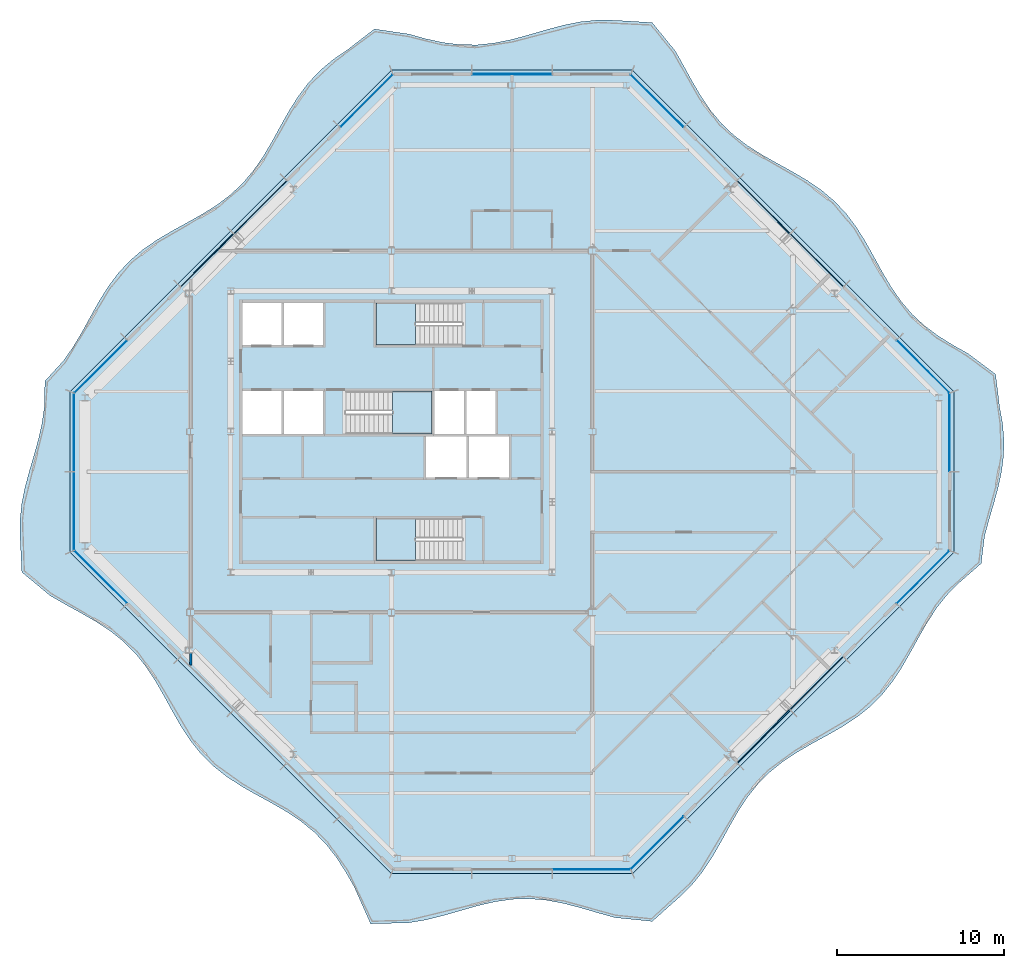
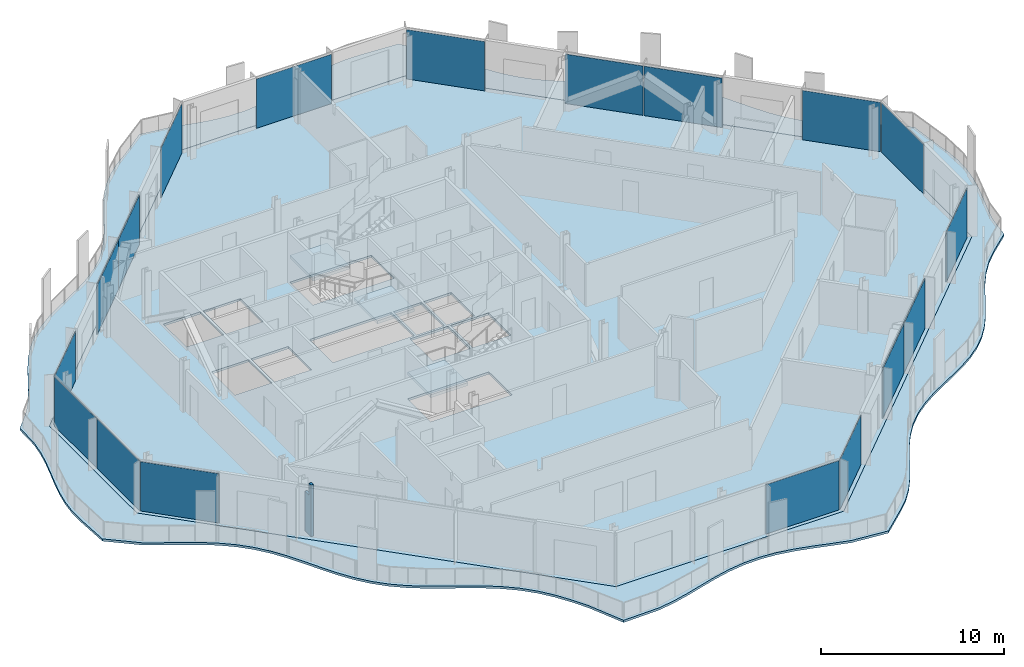
# One storey, part 6 of 16: 18 plates, 5 slabs, 1 wall, 11 elements without a shape of their own.
"""IFC4 building model written with IfcOpenShell, lengths in metres."""

from ifc_helpers import new_model, si_unit, direction, frame, origin, origin_2d, place, context, subcontext, project, spatial, polyline, rectangle, outline, extrude, material, layer, layer_set, type_object, element, aggregate, save


model = new_model("IFC4")

# Units and contexts
model_context = context("Model", 3, precision=1e-05, world=origin(), true_north=direction((0.0, 1.0)))
body_context = subcontext(model_context, "Body", "Model", "MODEL_VIEW")
ifc_project = project(units=[si_unit("LENGTHUNIT", "METRE"), si_unit("AREAUNIT", "SQUARE_METRE"), si_unit("VOLUMEUNIT", "CUBIC_METRE"), si_unit("PLANEANGLEUNIT", "RADIAN"), si_unit("MASSUNIT", "GRAM", prefix="KILO")], contexts=[model_context])

# Site, building, storey
site_placement = place(None, origin())
site = spatial("IfcSite", under=ifc_project, at=site_placement, CompositionType="ELEMENT")
building_placement = place(site_placement, origin())
building = spatial("IfcBuilding", under=site, at=building_placement, Name="Cairn Pilgrim Tower", CompositionType="ELEMENT")
storey_placement = place(building_placement, frame((0.0, 0.0, 288.60009765625)))
storey = spatial("IfcBuildingStorey", under=building, at=storey_placement, Name="L74", CompositionType="ELEMENT", Elevation=288.60009765625)

# Slabs
ifc_material_1 = material(Name="Concrete C35/45", Category="concrete")
ifc_layer_1 = layer(ifc_material_1, 0.14990234375)
ifc_layer_set_1 = layer_set([ifc_layer_1], Name="BALCONY SLAB 150 CONCRETE C35/45")
slab_type_1 = type_object("IfcSlabType", Name="BALCONY SLAB 150 CONCRETE C35/45", PredefinedType="FLOOR", material=ifc_layer_set_1)
slab_1_placement = place(storey_placement, frame((0.0, 0.0, -0.150146484375)))
element("IfcSlab", 1, at=slab_1_placement, inside=storey, type_object=slab_type_1, Name="Balcony slab BS-1", PredefinedType="FLOOR", context=body_context, shape_type="SweptSolid", body=[
    extrude(outline(polyline([(4.979736328125, -24.798095703125), (5.957275390625, -27.0), (8.228515625, -26.939697265625), (9.257080078125, -26.768310546875), (10.28564453125, -26.513427734375), (11.314208984375, -26.21630859375), (12.3427734375, -25.924560546875), (13.371337890625, -25.685302734375), (14.39990234375, -25.53662109375), (15.428466796875, -25.5029296875), (16.45703125, -25.589599609375), (17.485595703125, -25.782470703125), (18.514404296875, -26.050537109375), (19.54296875, -26.3505859375), (20.571533203125, -26.634765625), (22.783203125, -26.856689453125), (24.41796875, -25.395751953125), (25.13671875, -24.692138671875), (25.774658203125, -23.907958984375), (26.34326171875, -23.054443359375), (26.864501953125, -22.153564453125), (27.36767578125, -21.234375), (27.884765625, -20.3291015625), (28.4453125, -19.467529296875), (29.072998046875, -18.6728515625), (29.7802734375, -17.9580078125), (30.56787109375, -17.323486328125), (31.424072265625, -16.757568359375), (32.32666015625, -16.23779296875), (33.245849609375, -15.734619140625), (34.149658203125, -15.21630859375), (35.008544921875, -14.653076171875), (35.7998046875, -14.02197265625), (36.510986328125, -13.31103515625), (37.14208984375, -12.52001953125), (37.70556640625, -11.6611328125), (38.223876953125, -10.75732421875), (38.72705078125, -9.838134765625), (39.24658203125, -8.935546875), (39.8125, -8.079345703125), (40.447021484375, -7.29150390625), (41.161865234375, -6.583984375), (42.435302734375, -5.477294921875), (42.636474609375, -3.840087890625), (42.895751953125, -2.8798828125), (43.177001953125, -1.919921875), (43.440185546875, -0.9599609375), (43.6484375, 0.0), (43.77294921875, 0.9599609375), (43.795654296875, 1.919921875), (43.7138671875, 2.8798828125), (43.53857421875, 3.840087890625), (43.294921875, 5.83349609375), (41.64697265625, 7.069091796875), (40.734619140625, 7.5791015625), (39.8583984375, 8.125244140625), (39.043701171875, 8.732666015625), (38.306396484375, 9.41748046875), (37.650634765625, 10.183837890625), (37.067626953125, 11.023193359375), (36.537841796875, 11.91552734375), (36.033447265625, 12.83349609375), (35.5224609375, 13.74462890625), (34.97412109375, 14.618408203125), (34.36328125, 15.429931640625), (33.6748046875, 16.16357421875), (32.90478515625, 16.81591796875), (32.062744140625, 17.39599609375), (31.16845703125, 17.924072265625), (30.250244140625, 18.427978515625), (29.340087890625, 18.940185546875), (28.468505859375, 19.49072265625), (27.660400390625, 20.104736328125), (26.930419921875, 20.797119140625), (26.281494140625, 21.570556640625), (25.704345703125, 22.41552734375), (25.17822265625, 23.3115234375), (24.67431640625, 24.22998046875), (24.161376953125, 25.138916015625), (22.7763671875, 26.840087890625), (20.571533203125, 26.974609375), (19.54296875, 26.992431640625), (18.514404296875, 26.890869140625), (17.485595703125, 26.68603515625), (16.45703125, 26.4111328125), (15.428466796875, 26.1103515625), (14.39990234375, 25.831787109375), (13.371337890625, 25.620849609375), (12.3427734375, 25.510986328125), (11.314208984375, 25.520263671875), (10.28564453125, 25.646728515625), (9.257080078125, 25.870361328125), (8.228515625, 26.1552734375), (6.18310546875, 26.455322265625), (4.567626953125, 25.2099609375), (3.722412109375, 24.63330078125), (2.948486328125, 23.98486328125), (2.255859375, 23.25537109375), (1.641357421875, 22.447509765625), (1.090576171875, 21.576171875), (0.578369140625, 20.666259765625), (0.07421875, 19.748046875), (-0.453369140625, 18.853515625), (-1.033203125, 18.010986328125), (-1.68505859375, 17.24072265625), (-2.418212890625, 16.551513671875), (-3.2294921875, 15.9404296875), (-4.10302734375, 15.391845703125), (-5.01416015625, 14.880859375), (-5.931884765625, 14.37646484375), (-6.82470703125, 13.846923828125), (-7.664306640625, 13.26416015625), (-8.430908203125, 12.60888671875), (-9.116455078125, 11.871826171875), (-9.72412109375, 11.0576171875), (-10.2705078125, 10.181640625), (-10.78076171875, 9.26953125), (-11.28564453125, 8.352294921875), (-11.81689453125, 7.46142578125), (-12.40234375, 6.624755859375), (-13.501220703125, 5.421875), (-13.538330078125, 3.840087890625), (-13.675537109375, 2.8798828125), (-13.8935546875, 1.919921875), (-14.161376953125, 0.9599609375), (-14.44189453125, 0.0), (-14.6953125, -0.9599609375), (-14.88623046875, -1.919921875), (-14.98779296875, -2.8798828125), (-14.985595703125, -3.840087890625), (-14.88037109375, -5.9931640625), (-13.1806640625, -7.40283203125), (-12.2783203125, -7.9228515625), (-11.359130859375, -8.42578125), (-10.455078125, -8.944091796875), (-9.595947265625, -9.507080078125), (-8.804443359375, -10.1376953125), (-8.093017578125, -10.8486328125), (-7.461669921875, -11.639404296875), (-6.89794921875, -12.498046875), (-6.379638671875, -13.40185546875), (-5.87646484375, -14.321044921875), (-5.35693359375, -15.2236328125), (-4.791259765625, -16.080078125), (-4.156982421875, -16.8681640625), (-3.442626953125, -17.575927734375), (-2.6484375, -18.203857421875), (-1.787109375, -18.764892578125), (-0.882080078125, -19.281982421875), (0.037109375, -19.78515625), (0.938232421875, -20.30615234375), (1.7919921875, -20.87451171875), (2.57666015625, -21.51220703125), (3.28076171875, -22.230224609375), (3.9052734375, -23.02783203125), (4.4638671875, -23.8916015625), (4.979736328125, -24.798095703125)]), holes=[polyline([(21.60009765625, -24.0), (7.199951171875, -24.0), (-12.0, -4.800048828125), (-12.0, 4.800048828125), (7.199951171875, 24.0), (21.60009765625, 24.0), (40.800048828125, 4.800048828125), (40.800048828125, -4.800048828125), (21.60009765625, -24.0)])]), origin(), (0.0, 0.0, 1.0), 0.150146484375),
])
ifc_layer_2 = layer(ifc_material_1, 0.14990234375)
ifc_layer_set_2 = layer_set([ifc_layer_2], Name="COMPOSITE FLOOR SLAB 150")
slab_type_2 = type_object("IfcSlabType", Name="COMPOSITE FLOOR SLAB 150", PredefinedType="FLOOR", material=ifc_layer_set_2)
slab_2_placement = place(storey_placement, frame((0.0, 0.0, -0.150146484375)))
element("IfcSlab", 2, at=slab_2_placement, inside=storey, type_object=slab_type_2, Name="FLOOR SLAB L74", PredefinedType="FLOOR", context=body_context, shape_type="SweptSolid", body=[
    extrude(outline(polyline([(7.199951171875, -24.0), (21.60009765625, -24.0), (40.800048828125, -4.800048828125), (40.800048828125, 4.800048828125), (21.60009765625, 24.0), (7.199951171875, 24.0), (-12.0, 4.800048828125), (-12.0, -4.800048828125), (7.199951171875, -24.0)]), holes=[polyline([(9.27490234375, -0.324951171875), (11.675048828125, -0.324951171875), (11.675048828125, 2.125), (9.27490234375, 2.125), (9.27490234375, -0.324951171875)]), polyline([(11.824951171875, -0.324951171875), (14.22509765625, -0.324951171875), (14.22509765625, 2.125), (11.824951171875, 2.125), (11.824951171875, -0.324951171875)]), polyline([(-1.72509765625, 2.27490234375), (0.625, 2.27490234375), (0.625, 4.824951171875), (-1.72509765625, 4.824951171875), (-1.72509765625, 2.27490234375)]), polyline([(0.77490234375, 2.27490234375), (3.125, 2.27490234375), (3.125, 4.824951171875), (0.77490234375, 4.824951171875), (0.77490234375, 2.27490234375)]), polyline([(-1.72509765625, 7.574951171875), (0.625, 7.574951171875), (0.625, 10.10009765625), (-1.72509765625, 10.10009765625), (-1.72509765625, 7.574951171875)]), polyline([(0.77490234375, 7.574951171875), (3.125, 7.574951171875), (3.125, 10.10009765625), (0.77490234375, 10.10009765625), (0.77490234375, 7.574951171875)]), polyline([(9.77490234375, 2.27490234375), (11.52490234375, 2.27490234375), (11.52490234375, 4.824951171875), (9.77490234375, 4.824951171875), (9.77490234375, 2.27490234375)]), polyline([(11.675048828125, 2.27490234375), (13.425048828125, 2.27490234375), (13.425048828125, 4.824951171875), (11.675048828125, 4.824951171875), (11.675048828125, 2.27490234375)]), polyline([(11.424560546875, -2.77490234375), (6.27490234375, -2.77490234375), (6.27490234375, -5.300048828125), (11.424560546875, -5.300048828125), (11.424560546875, -2.77490234375)]), polyline([(4.4755859375, 2.27490234375), (9.625, 2.27490234375), (9.625, 4.824951171875), (4.4755859375, 4.824951171875), (4.4755859375, 2.27490234375)]), polyline([(11.424560546875, 10.10009765625), (6.27490234375, 10.10009765625), (6.27490234375, 7.574951171875), (11.424560546875, 7.574951171875), (11.424560546875, 10.10009765625)])]), origin(), (0.0, 0.0, 1.0), 0.150146484375),
])

# Curtain wall, plates
ifc_material_2 = material(Name="Aluminium alloy 6063-T6 bronze anodised with Bronze tinted laminated low-E glass 8+16+8.8", Category="aluminium")
curtain_wall_type = type_object("IfcCurtainWallType", Name="CROWN CURTAIN WALL", PredefinedType="NOTDEFINED", material=ifc_material_2)
curtain_wall_1_placement = place(storey_placement, origin())
curtain_wall_1 = element("IfcCurtainWall", 3, at=curtain_wall_1_placement, inside=storey, type_object=curtain_wall_type, Name="Crown Curtain Wall SE", PredefinedType="NOTDEFINED")
ifc_material_3 = material(Name="Bronze anodised aluminium spandrel panel with mineral wool insulation", Category="aluminium")
ifc_layer_3 = layer(ifc_material_3, 0.06005859375)
ifc_layer_set_3 = layer_set([ifc_layer_3], Name="SPANDREL PANEL 4431x3300")
plate_type_1 = type_object("IfcPlateType", Name="SPANDREL PANEL 4431x3300", PredefinedType="CURTAIN_PANEL", material=ifc_layer_set_3)
plate_1_placement = place(storey_placement, frame((29.435546875, -15.81103515625, 0.0), z_axis=(0.0, 0.0, 1.0), x_axis=(0.707106781187, 0.707106781187, 0.0)))
plate_1 = element("IfcPlate", 4, at=plate_1_placement, type_object=plate_type_1, Name="Spandrel Panel SE3-1", PredefinedType="CURTAIN_PANEL", context=body_context, shape_type="SweptSolid", body=[
    extrude(rectangle(XDim=4.430908203125, YDim=0.06005859375, at=origin_2d()), origin(), (0.0, 0.0, 1.0), 3.300048828125),
])
plate_2_placement = place(storey_placement, frame((32.611083984375, -12.635498046875, 0.0), z_axis=(0.0, 0.0, 1.0), x_axis=(0.707106781187, 0.707106781187, 0.0)))
plate_2 = element("IfcPlate", 5, at=plate_2_placement, type_object=plate_type_1, Name="Spandrel Panel SE4-1", PredefinedType="CURTAIN_PANEL", context=body_context, shape_type="SweptSolid", body=[
    extrude(rectangle(XDim=4.430908203125, YDim=0.06005859375, at=origin_2d()), origin(), (0.0, 0.0, 1.0), 3.300048828125),
])

curtain_wall_2_placement = place(storey_placement, origin())
curtain_wall_2 = element("IfcCurtainWall", 6, at=curtain_wall_2_placement, inside=storey, type_object=curtain_wall_type, Name="Crown Curtain Wall NE", PredefinedType="NOTDEFINED")
plate_3_placement = place(storey_placement, frame((32.611083984375, 12.635498046875, 0.0), z_axis=(0.0, 0.0, 1.0), x_axis=(-0.707106781187, 0.707106781187, 0.0)))
plate_3 = element("IfcPlate", 7, at=plate_3_placement, type_object=plate_type_1, Name="Spandrel Panel NE3-1", PredefinedType="CURTAIN_PANEL", context=body_context, shape_type="SweptSolid", body=[
    extrude(rectangle(XDim=4.430908203125, YDim=0.06005859375, at=origin_2d()), origin(), (0.0, 0.0, 1.0), 3.300048828125),
])
plate_4_placement = place(storey_placement, frame((29.435546875, 15.81103515625, 0.0), z_axis=(0.0, 0.0, 1.0), x_axis=(-0.707106781187, 0.707106781187, 0.0)))
plate_4 = element("IfcPlate", 8, at=plate_4_placement, type_object=plate_type_1, Name="Spandrel Panel NE4-1", PredefinedType="CURTAIN_PANEL", context=body_context, shape_type="SweptSolid", body=[
    extrude(rectangle(XDim=4.430908203125, YDim=0.06005859375, at=origin_2d()), origin(), (0.0, 0.0, 1.0), 3.300048828125),
])

curtain_wall_3_placement = place(storey_placement, origin())
curtain_wall_3 = element("IfcCurtainWall", 9, at=curtain_wall_3_placement, inside=storey, type_object=curtain_wall_type, Name="Crown Curtain Wall NW", PredefinedType="NOTDEFINED")
plate_5_placement = place(storey_placement, frame((-0.635498046875, 15.81103515625, 0.0), z_axis=(0.0, 0.0, 1.0), x_axis=(-0.707106781187, -0.707106781187, 0.0)))
plate_5 = element("IfcPlate", 10, at=plate_5_placement, type_object=plate_type_1, Name="Spandrel Panel NW3-1", PredefinedType="CURTAIN_PANEL", context=body_context, shape_type="SweptSolid", body=[
    extrude(rectangle(XDim=4.430908203125, YDim=0.06005859375, at=origin_2d()), origin(), (0.0, 0.0, 1.0), 3.300048828125),
])
plate_6_placement = place(storey_placement, frame((-3.81103515625, 12.635498046875, 0.0), z_axis=(0.0, 0.0, 1.0), x_axis=(-0.707106781187, -0.707106781187, 0.0)))
plate_6 = element("IfcPlate", 11, at=plate_6_placement, type_object=plate_type_1, Name="Spandrel Panel NW4-1", PredefinedType="CURTAIN_PANEL", context=body_context, shape_type="SweptSolid", body=[
    extrude(rectangle(XDim=4.430908203125, YDim=0.06005859375, at=origin_2d()), origin(), (0.0, 0.0, 1.0), 3.300048828125),
])

# Stair, slab
ifc_material_4 = material(Name="Concrete C32/40", Category="concrete")
stair_type = type_object("IfcStairType", Name="EXIT STAIR 1200", PredefinedType="HALF_TURN_STAIR", material=ifc_material_4)
stair_1_placement = place(storey_placement, origin())
stair_1 = element("IfcStair", 12, at=stair_1_placement, inside=storey, type_object=stair_type, Name="L74 Exit Stair A", PredefinedType="HALF_TURN_STAIR")
ifc_layer_4 = layer(ifc_material_4, 0.199951171875)
ifc_layer_set_4 = layer_set([ifc_layer_4], Name="STAIR LANDING 200")
slab_type_3 = type_object("IfcSlabType", Name="STAIR LANDING 200", PredefinedType="LANDING", material=ifc_layer_set_4)
slab_3_placement = place(storey_placement, frame((0.0, 0.0, 1.599853515625)))
slab_3 = element("IfcSlab", 13, at=slab_3_placement, type_object=slab_type_3, Name="ST-A landing 1", PredefinedType="LANDING", context=body_context, shape_type="SweptSolid", body=[
    extrude(outline(polyline([(8.625, -2.77490234375), (6.27490234375, -2.77490234375), (6.27490234375, -5.300048828125), (8.625, -5.300048828125), (8.625, -2.77490234375)])), origin(), (0.0, 0.0, 1.0), 0.199951171875),
])
aggregate(stair_1, [slab_3])

stair_2_placement = place(storey_placement, origin())
stair_2 = element("IfcStair", 14, at=stair_2_placement, inside=storey, type_object=stair_type, Name="L74 Exit Stair B", PredefinedType="HALF_TURN_STAIR")
slab_4_placement = place(storey_placement, frame((0.0, 0.0, 1.599853515625)))
slab_4 = element("IfcSlab", 15, at=slab_4_placement, type_object=slab_type_3, Name="ST-B landing 1", PredefinedType="LANDING", context=body_context, shape_type="SweptSolid", body=[
    extrude(outline(polyline([(7.27490234375, 2.27490234375), (9.625, 2.27490234375), (9.625, 4.824951171875), (7.27490234375, 4.824951171875), (7.27490234375, 2.27490234375)])), origin(), (0.0, 0.0, 1.0), 0.199951171875),
])
aggregate(stair_2, [slab_4])

stair_3_placement = place(storey_placement, origin())
stair_3 = element("IfcStair", 16, at=stair_3_placement, inside=storey, type_object=stair_type, Name="L74 Exit Stair C", PredefinedType="HALF_TURN_STAIR")
slab_5_placement = place(storey_placement, frame((0.0, 0.0, 1.599853515625)))
slab_5 = element("IfcSlab", 17, at=slab_5_placement, type_object=slab_type_3, Name="ST-C landing 1", PredefinedType="LANDING", context=body_context, shape_type="SweptSolid", body=[
    extrude(outline(polyline([(8.625, 10.10009765625), (6.27490234375, 10.10009765625), (6.27490234375, 7.574951171875), (8.625, 7.574951171875), (8.625, 10.10009765625)])), origin(), (0.0, 0.0, 1.0), 0.199951171875),
])
aggregate(stair_3, [slab_5])

# Plate
ifc_material_5 = material(Name="Bronze tinted laminated low-E glass 8+16+8.8", Category="glass")
ifc_layer_5 = layer(ifc_material_5, 0.033935546875)
ifc_layer_set_5 = layer_set([ifc_layer_5], Name="VISION GLAZING 4421x3300")
plate_type_2 = type_object("IfcPlateType", Name="VISION GLAZING 4421x3300", PredefinedType="CURTAIN_PANEL", material=ifc_layer_set_5)
plate_7_placement = place(storey_placement, frame((23.087890625, -22.15869140625, 0.0), z_axis=(0.0, 0.0, 1.0), x_axis=(0.707106781187, 0.707106781187, 0.0)))
plate_7 = element("IfcPlate", 18, at=plate_7_placement, type_object=plate_type_2, Name="Vision Glazing SE1-1", PredefinedType="CURTAIN_PANEL", context=body_context, shape_type="SweptSolid", body=[
    extrude(rectangle(XDim=4.4208984375, YDim=0.033935546875, at=origin_2d()), origin(), (0.0, 0.0, 1.0), 3.300048828125),
])

plate_8_placement = place(storey_placement, frame((38.958740234375, -6.287841796875, 0.0), z_axis=(0.0, 0.0, 1.0), x_axis=(0.707106781187, 0.707106781187, 0.0)))
plate_8 = element("IfcPlate", 19, at=plate_8_placement, type_object=plate_type_2, Name="Vision Glazing SE6-1", PredefinedType="CURTAIN_PANEL", context=body_context, shape_type="SweptSolid", body=[
    extrude(rectangle(XDim=4.4208984375, YDim=0.033935546875, at=origin_2d()), origin(), (0.0, 0.0, 1.0), 3.300048828125),
])

aggregate(curtain_wall_1, [plate_7, plate_1, plate_2, plate_8])

plate_9_placement = place(storey_placement, frame((38.958740234375, 6.287841796875, 0.0), z_axis=(0.0, 0.0, 1.0), x_axis=(-0.707106781187, 0.707106781187, 0.0)))
plate_9 = element("IfcPlate", 20, at=plate_9_placement, type_object=plate_type_2, Name="Vision Glazing NE1-1", PredefinedType="CURTAIN_PANEL", context=body_context, shape_type="SweptSolid", body=[
    extrude(rectangle(XDim=4.4208984375, YDim=0.033935546875, at=origin_2d()), origin(), (0.0, 0.0, 1.0), 3.300048828125),
])

plate_10_placement = place(storey_placement, frame((23.087890625, 22.15869140625, 0.0), z_axis=(0.0, 0.0, 1.0), x_axis=(-0.707106781187, 0.707106781187, 0.0)))
plate_10 = element("IfcPlate", 21, at=plate_10_placement, type_object=plate_type_2, Name="Vision Glazing NE6-1", PredefinedType="CURTAIN_PANEL", context=body_context, shape_type="SweptSolid", body=[
    extrude(rectangle(XDim=4.4208984375, YDim=0.033935546875, at=origin_2d()), origin(), (0.0, 0.0, 1.0), 3.300048828125),
])

aggregate(curtain_wall_2, [plate_9, plate_3, plate_4, plate_10])

plate_11_placement = place(storey_placement, frame((5.712158203125, 22.15869140625, 0.0), z_axis=(0.0, 0.0, 1.0), x_axis=(-0.707106781187, -0.707106781187, 0.0)))
plate_11 = element("IfcPlate", 22, at=plate_11_placement, type_object=plate_type_2, Name="Vision Glazing NW1-1", PredefinedType="CURTAIN_PANEL", context=body_context, shape_type="SweptSolid", body=[
    extrude(rectangle(XDim=4.4208984375, YDim=0.033935546875, at=origin_2d()), origin(), (0.0, 0.0, 1.0), 3.300048828125),
])

plate_12_placement = place(storey_placement, frame((-10.15869140625, 6.287841796875, 0.0), z_axis=(0.0, 0.0, 1.0), x_axis=(-0.707106781187, -0.707106781187, 0.0)))
plate_12 = element("IfcPlate", 23, at=plate_12_placement, type_object=plate_type_2, Name="Vision Glazing NW6-1", PredefinedType="CURTAIN_PANEL", context=body_context, shape_type="SweptSolid", body=[
    extrude(rectangle(XDim=4.4208984375, YDim=0.033935546875, at=origin_2d()), origin(), (0.0, 0.0, 1.0), 3.300048828125),
])

aggregate(curtain_wall_3, [plate_11, plate_5, plate_6, plate_12])

# Curtain wall, plate
curtain_wall_4_placement = place(storey_placement, origin())
curtain_wall_4 = element("IfcCurtainWall", 24, at=curtain_wall_4_placement, inside=storey, type_object=curtain_wall_type, Name="Crown Curtain Wall SW", PredefinedType="NOTDEFINED")
plate_13_placement = place(storey_placement, frame((-10.15869140625, -6.287841796875, 0.0), z_axis=(0.0, 0.0, 1.0), x_axis=(0.707106781187, -0.707106781187, 0.0)))
plate_13 = element("IfcPlate", 25, at=plate_13_placement, type_object=plate_type_2, Name="Vision Glazing SW1-1", PredefinedType="CURTAIN_PANEL", context=body_context, shape_type="SweptSolid", body=[
    extrude(rectangle(XDim=4.4208984375, YDim=0.033935546875, at=origin_2d()), origin(), (0.0, 0.0, 1.0), 3.300048828125),
])
aggregate(curtain_wall_4, [plate_13])

curtain_wall_5_placement = place(storey_placement, origin())
curtain_wall_5 = element("IfcCurtainWall", 26, at=curtain_wall_5_placement, inside=storey, type_object=curtain_wall_type, Name="Crown Curtain Wall S", PredefinedType="NOTDEFINED")
ifc_layer_6 = layer(ifc_material_5, 0.033935546875)
ifc_layer_set_6 = layer_set([ifc_layer_6], Name="VISION GLAZING 4626x3300")
plate_type_3 = type_object("IfcPlateType", Name="VISION GLAZING 4626x3300", PredefinedType="CURTAIN_PANEL", material=ifc_layer_set_6)
plate_14_placement = place(storey_placement, frame((19.143310546875, -23.75, 0.0), z_axis=(0.0, 0.0, 1.0), x_axis=(1.0, 0.0, 0.0)))
plate_14 = element("IfcPlate", 27, at=plate_14_placement, type_object=plate_type_3, Name="Vision Glazing S3-1", PredefinedType="CURTAIN_PANEL", context=body_context, shape_type="SweptSolid", body=[
    extrude(rectangle(XDim=4.62646484375, YDim=0.033935546875, at=origin_2d()), origin(), (0.0, 0.0, 1.0), 3.300048828125),
])
aggregate(curtain_wall_5, [plate_14])

curtain_wall_6_placement = place(storey_placement, origin())
curtain_wall_6 = element("IfcCurtainWall", 28, at=curtain_wall_6_placement, inside=storey, type_object=curtain_wall_type, Name="Crown Curtain Wall E", PredefinedType="NOTDEFINED")
plate_15_placement = place(storey_placement, frame((40.550048828125, 2.34326171875, 0.0), z_axis=(0.0, 0.0, 1.0), x_axis=(0.0, 1.0, 0.0)))
plate_15 = element("IfcPlate", 29, at=plate_15_placement, type_object=plate_type_3, Name="Vision Glazing E2-1", PredefinedType="CURTAIN_PANEL", context=body_context, shape_type="SweptSolid", body=[
    extrude(rectangle(XDim=4.62646484375, YDim=0.033935546875, at=origin_2d()), origin(), (0.0, 0.0, 1.0), 3.300048828125),
])
aggregate(curtain_wall_6, [plate_15])

# Curtain wall, plates
curtain_wall_7_placement = place(storey_placement, origin())
curtain_wall_7 = element("IfcCurtainWall", 30, at=curtain_wall_7_placement, inside=storey, type_object=curtain_wall_type, Name="Crown Curtain Wall W", PredefinedType="NOTDEFINED")
plate_16_placement = place(storey_placement, frame((-11.75, 2.34326171875, 0.0), z_axis=(0.0, 0.0, 1.0), x_axis=(0.0, -1.0, 0.0)))
plate_16 = element("IfcPlate", 31, at=plate_16_placement, type_object=plate_type_3, Name="Vision Glazing W1-1", PredefinedType="CURTAIN_PANEL", context=body_context, shape_type="SweptSolid", body=[
    extrude(rectangle(XDim=4.62646484375, YDim=0.033935546875, at=origin_2d()), origin(), (0.0, 0.0, 1.0), 3.300048828125),
])
plate_17_placement = place(storey_placement, frame((-11.75, -2.34326171875, 0.0), z_axis=(0.0, 0.0, 1.0), x_axis=(0.0, -1.0, 0.0)))
plate_17 = element("IfcPlate", 32, at=plate_17_placement, type_object=plate_type_3, Name="Vision Glazing W2-1", PredefinedType="CURTAIN_PANEL", context=body_context, shape_type="SweptSolid", body=[
    extrude(rectangle(XDim=4.62646484375, YDim=0.033935546875, at=origin_2d()), origin(), (0.0, 0.0, 1.0), 3.300048828125),
])
aggregate(curtain_wall_7, [plate_16, plate_17])

# Curtain wall, plate
curtain_wall_8_placement = place(storey_placement, origin())
curtain_wall_8 = element("IfcCurtainWall", 33, at=curtain_wall_8_placement, inside=storey, type_object=curtain_wall_type, Name="Crown Curtain Wall N", PredefinedType="NOTDEFINED")
ifc_layer_7 = layer(ifc_material_5, 0.033935546875)
ifc_layer_set_7 = layer_set([ifc_layer_7], Name="VISION GLAZING 4740x3300")
plate_type_4 = type_object("IfcPlateType", Name="VISION GLAZING 4740x3300", PredefinedType="CURTAIN_PANEL", material=ifc_layer_set_7)
plate_18_placement = place(storey_placement, frame((14.39990234375, 23.75, 0.0), z_axis=(0.0, 0.0, 1.0), x_axis=(-1.0, 0.0, 0.0)))
plate_18 = element("IfcPlate", 34, at=plate_18_placement, type_object=plate_type_4, Name="Vision Glazing N2-1", PredefinedType="CURTAIN_PANEL", context=body_context, shape_type="SweptSolid", body=[
    extrude(rectangle(XDim=4.739990234375, YDim=0.033935546875, at=origin_2d()), origin(), (0.0, 0.0, 1.0), 3.300048828125),
])
aggregate(curtain_wall_8, [plate_18])

# Wall
ifc_material_6 = material(Name="Gypsum partition")
ifc_layer_8 = layer(ifc_material_6, 0.14990234375)
ifc_layer_set_8 = layer_set([ifc_layer_8], Name="PARTITION 150 DRYWALL EI 60")
wall_type = type_object("IfcWallType", Name="PARTITION 150 DRYWALL EI 60", PredefinedType="PARTITIONING", material=ifc_layer_set_8)
wall_placement = place(storey_placement, frame((-4.800048828125, -11.526123046875, 0.0), z_axis=(0.0, 0.0, 1.0), x_axis=(0.0, 1.0, 0.0)))
element("IfcWall", 35, at=wall_placement, inside=storey, type_object=wall_type, Name="PARTITION W015", PredefinedType="PARTITIONING", context=body_context, shape_type="SweptSolid", body=[
    extrude(outline(polyline([(0.0, 0.0), (0.690673828125, 0.0), (0.690673828125, 2.6298828125), (0.22900390625, 2.6298828125), (0.226806640625, 3.449951171875), (0.0, 3.449951171875), (0.0, 0.0)])), frame((0.0, 0.074951171875, 0.0), z_axis=(0.0, -1.0, 0.0), x_axis=(1.0, 0.0, 0.0)), (0.0, 0.0, 1.0), 0.14990234375),
])

save(model, "model.ifc")
